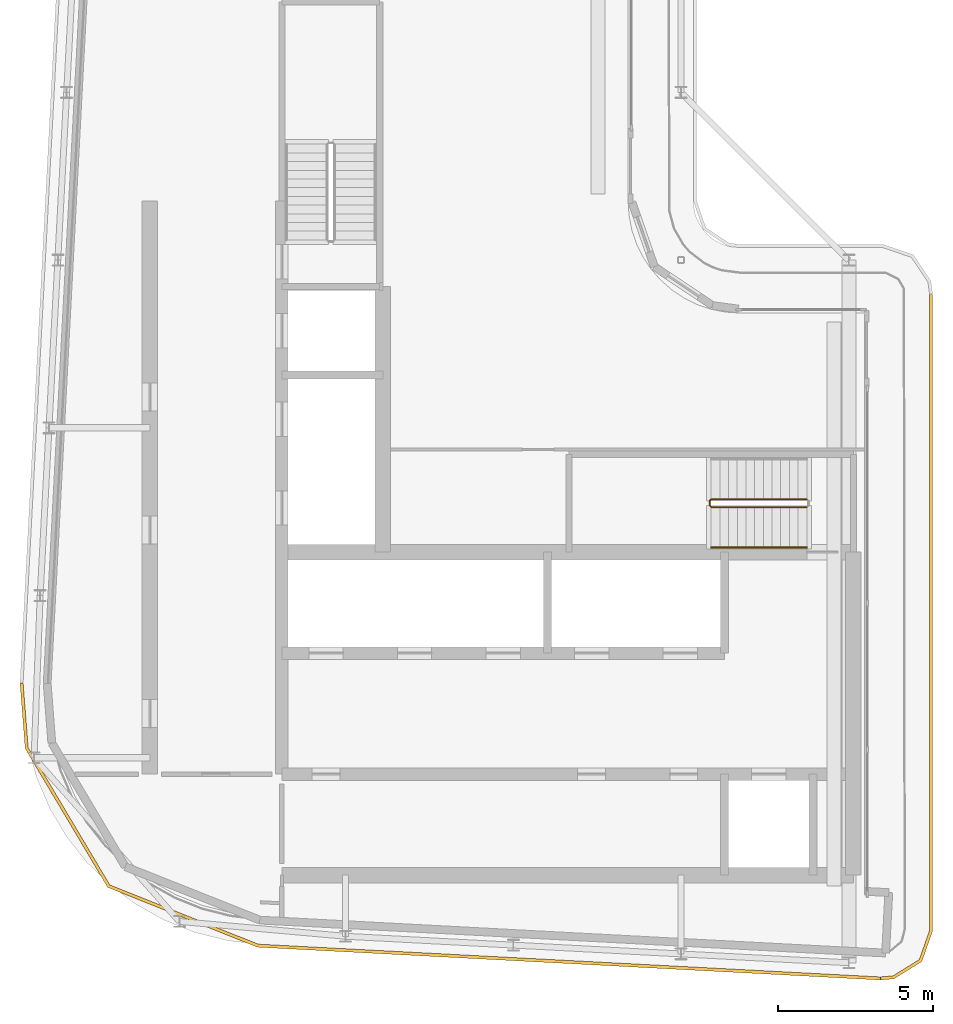
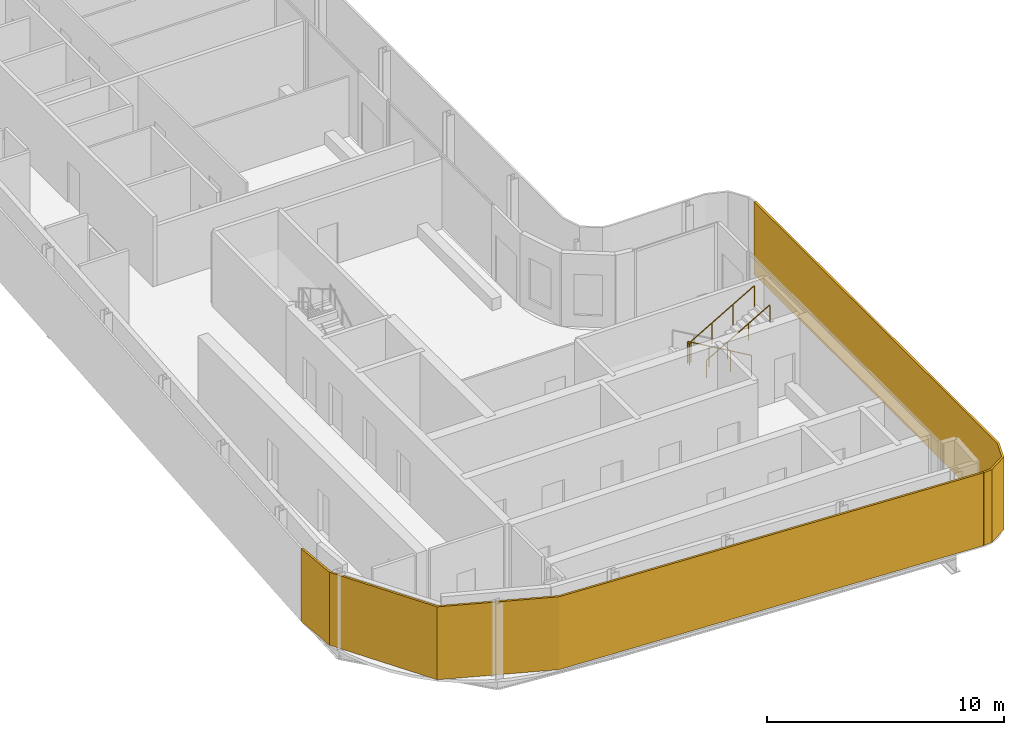
# One storey, part 13 of 19: 2 railings, 2 shading devices.
"""IFC4 building model written with IfcOpenShell, lengths in metres."""

from ifc_helpers import new_model, si_unit, direction, frame, origin, origin_2d, place, context, subcontext, project, spatial, polyline, circle, outline, extrude, material, layer, layer_set, type_object, element, save


model = new_model("IFC4")

# Units and contexts
model_context = context("Model", 3, precision=1e-05, world=origin(), true_north=direction((0.0, 1.0)))
body_context = subcontext(model_context, "Body", "Model", "MODEL_VIEW")
ifc_project = project(units=[si_unit("LENGTHUNIT", "METRE"), si_unit("AREAUNIT", "SQUARE_METRE"), si_unit("VOLUMEUNIT", "CUBIC_METRE"), si_unit("PLANEANGLEUNIT", "RADIAN"), si_unit("MASSUNIT", "GRAM", prefix="KILO")], contexts=[model_context])

# Site, building, storey
site_placement = place(None, origin())
site = spatial("IfcSite", under=ifc_project, at=site_placement, CompositionType="ELEMENT")
building_placement = place(site_placement, origin())
building = spatial("IfcBuilding", under=site, at=building_placement, Name="Kheshtan School and Residences Tower", CompositionType="ELEMENT")
storey_placement = place(building_placement, frame((0.0, 0.0, 357.800048828125)))
storey = spatial("IfcBuildingStorey", under=building, at=storey_placement, Name="L84", CompositionType="ELEMENT", Elevation=357.800048828125)

# Shading devices
ifc_material_1 = material(Name="Terracotta baguette, extruded ceramic", Category="masonry")
ifc_layer_1 = layer(ifc_material_1, 0.10009765625)
ifc_layer_set_1 = layer_set([ifc_layer_1], Name="Ledge screen, terracotta baguettes")
shading_device_type_1 = type_object("IfcShadingDeviceType", Name="Ledge screen, terracotta baguettes", PredefinedType="USERDEFINED", material=ifc_layer_set_1)
shading_device_1_placement = place(storey_placement, origin())
element("IfcShadingDevice", 1, at=shading_device_1_placement, inside=storey, type_object=shading_device_type_1, Name="Screen L84 3", ObjectType="BAGUETTE", PredefinedType="USERDEFINED", context=body_context, shape_type="SweptSolid", body=[
    extrude(outline(polyline([(54.02099609375, 22.52490234375), (33.989013671875, 23.580078125), (29.2119140625, 25.486083984375), (26.583984375, 29.906982421875), (26.419921875, 31.989013671875), (26.320068359375, 31.98095703125), (26.486083984375, 29.8759765625), (29.14306640625, 25.406005859375), (33.967041015625, 23.48095703125), (54.01611328125, 22.425048828125), (54.02099609375, 22.52490234375)])), origin(), (0.0, 0.0, 1.0), 3.75),
])
ifc_material_2 = material(Name="Terracotta lattice, extruded ceramic", Category="masonry")
ifc_layer_2 = layer(ifc_material_2, 0.10009765625)
ifc_layer_set_2 = layer_set([ifc_layer_2], Name="Loggia screen, terracotta lattice")
shading_device_type_2 = type_object("IfcShadingDeviceType", Name="Loggia screen, terracotta lattice", PredefinedType="USERDEFINED", material=ifc_layer_set_2)
shading_device_2_placement = place(storey_placement, origin())
element("IfcShadingDevice", 2, at=shading_device_2_placement, inside=storey, type_object=shading_device_type_2, Name="Screen L84 2", ObjectType="SCREEN", PredefinedType="USERDEFINED", context=body_context, shape_type="SweptSolid", body=[
    extrude(outline(polyline([(55.60009765625, 44.5), (55.60009765625, 24.02294921875), (55.27001953125, 23.083984375), (54.424072265625, 22.55908203125), (54.02099609375, 22.52490234375), (54.029052734375, 22.425048828125), (54.4560546875, 22.4609375), (55.35302734375, 23.01806640625), (55.699951171875, 24.006103515625), (55.699951171875, 44.5), (55.60009765625, 44.5)])), origin(), (0.0, 0.0, 1.0), 3.75),
])

# Railings
ifc_material_3 = material(Name="Stainless steel balustrade", Category="steel")
railing_type_1 = type_object("IfcRailingType", Name="Stair guard 1100", PredefinedType="GUARDRAIL", material=ifc_material_3)
railing_1_placement = place(storey_placement, frame((51.64990234375, 37.89990234375, 0.162353515625)))
element("IfcRailing", 3, at=railing_1_placement, inside=storey, type_object=railing_type_1, Name="L84 ST1 stair guard 1", PredefinedType="GUARDRAIL", context=body_context, shape_type="SweptSolid", body=[
    extrude(circle(Radius=0.02392578125, at=origin_2d()), frame((0.0, 0.0, 1.076171875), z_axis=(-0.864873446163, 0.0, 0.501989962173), x_axis=(0.0, -1.0, 0.0)), (0.0, 0.0, 1.0), 3.56103515625),
    extrude(circle(Radius=0.02392578125, at=origin_2d()), frame((-3.079833984375, 0.0, 2.86376953125), z_axis=(-0.708833529934, -0.705375805398, 0.0), x_axis=(0.705375805398, -0.708833529934, 0.0)), (0.0, 0.0, 1.0), 0.070556640625),
    extrude(circle(Radius=0.02392578125, at=origin_2d()), frame((-3.1298828125, -0.0498046875, 2.86376953125), z_axis=(0.0, -1.0, 0.0), x_axis=(1.0, 0.0, 0.0)), (0.0, 0.0, 1.0), 0.150146484375),
    extrude(circle(Radius=0.02392578125, at=origin_2d()), frame((-3.1298828125, -0.199951171875, 2.86376953125), z_axis=(0.282227285176, -0.282227285176, 0.916894497205), x_axis=(0.707106781187, 0.707106781187, 0.0)), (0.0, 0.0, 1.0), 0.17724609375),
    extrude(circle(Radius=0.02392578125, at=origin_2d()), frame((-3.079833984375, -0.25, 3.0263671875), z_axis=(0.864903211148, 0.0, 0.501938676878), x_axis=(0.0, 1.0, 0.0)), (0.0, 0.0, 1.0), 3.560791015625),
    extrude(circle(Radius=0.02099609375, at=origin_2d()), origin(), (0.0, 0.0, 1.0), 1.052001953125),
    extrude(circle(Radius=0.02099609375, at=origin_2d()), frame((-1.026611328125, 0.0, 0.595947265625)), (0.0, 0.0, 1.0), 1.052001953125),
    extrude(circle(Radius=0.02099609375, at=origin_2d()), frame((-2.05322265625, 0.0, 1.191650390625)), (0.0, 0.0, 1.0), 1.052001953125),
    extrude(circle(Radius=0.02099609375, at=origin_2d()), frame((-3.079833984375, 0.0, 1.78759765625)), (0.0, 0.0, 1.0), 1.052001953125),
    extrude(circle(Radius=0.02099609375, at=origin_2d()), frame((-3.1298828125, -0.0498046875, 1.78759765625)), (0.0, 0.0, 1.0), 1.052001953125),
    extrude(circle(Radius=0.02099609375, at=origin_2d()), frame((-3.1298828125, -0.199951171875, 1.78759765625)), (0.0, 0.0, 1.0), 1.052001953125),
    extrude(circle(Radius=0.02099609375, at=origin_2d()), frame((-3.079833984375, -0.25, 1.9501953125)), (0.0, 0.0, 1.0), 1.052001953125),
    extrude(circle(Radius=0.02099609375, at=origin_2d()), frame((-2.05322265625, -0.25, 2.5458984375)), (0.0, 0.0, 1.0), 1.052001953125),
    extrude(circle(Radius=0.02099609375, at=origin_2d()), frame((-1.026611328125, -0.25, 3.141845703125)), (0.0, 0.0, 1.0), 1.052001953125),
    extrude(circle(Radius=0.02099609375, at=origin_2d()), frame((0.0, -0.25, 3.737548828125)), (0.0, 0.0, 1.0), 1.052001953125),
])
ifc_material_4 = material(Name="Stainless steel handrail", Category="steel")
railing_type_2 = type_object("IfcRailingType", Name="Stair handrail 900", PredefinedType="HANDRAIL", material=ifc_material_4)
railing_2_placement = place(storey_placement, frame((48.570068359375, 36.35009765625, 2.112548828125)))
element("IfcRailing", 4, at=railing_2_placement, inside=storey, type_object=railing_type_2, Name="L84 ST1 stair handrail 2", PredefinedType="HANDRAIL", context=body_context, shape_type="SweptSolid", body=[
    extrude(circle(Radius=0.02392578125, at=origin_2d()), frame((0.0, 0.0, 0.8759765625), z_axis=(0.864903211148, 0.0, 0.501938676878), x_axis=(0.0, 1.0, 0.0)), (0.0, 0.0, 1.0), 3.560791015625),
    extrude(circle(Radius=0.02099609375, at=origin_2d()), origin(), (0.0, 0.0, 1.0), 0.851806640625),
    extrude(circle(Radius=0.02099609375, at=origin_2d()), frame((1.026611328125, 0.0, 0.595703125)), (0.0, 0.0, 1.0), 0.851806640625),
    extrude(circle(Radius=0.02099609375, at=origin_2d()), frame((2.05322265625, 0.0, 1.191650390625)), (0.0, 0.0, 1.0), 0.851806640625),
    extrude(circle(Radius=0.02099609375, at=origin_2d()), frame((3.079833984375, 0.0, 1.787353515625)), (0.0, 0.0, 1.0), 0.851806640625),
])

save(model, "model.ifc")
